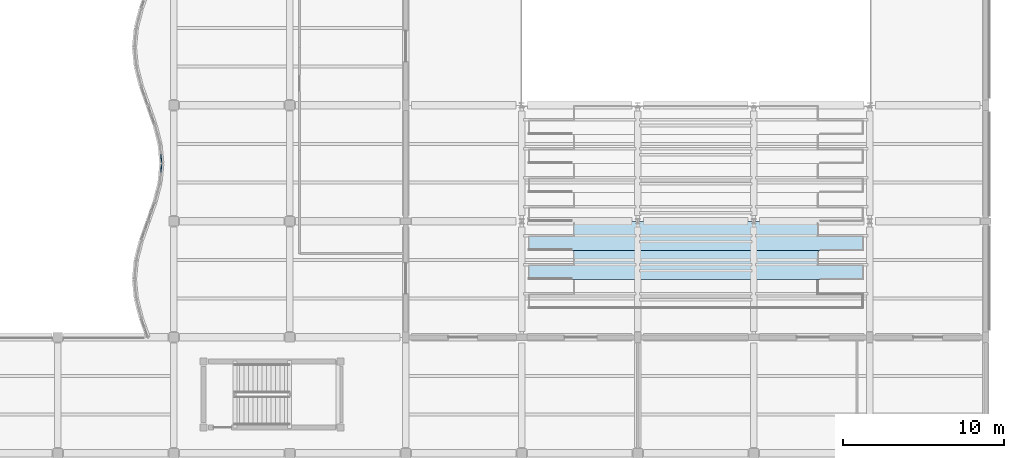
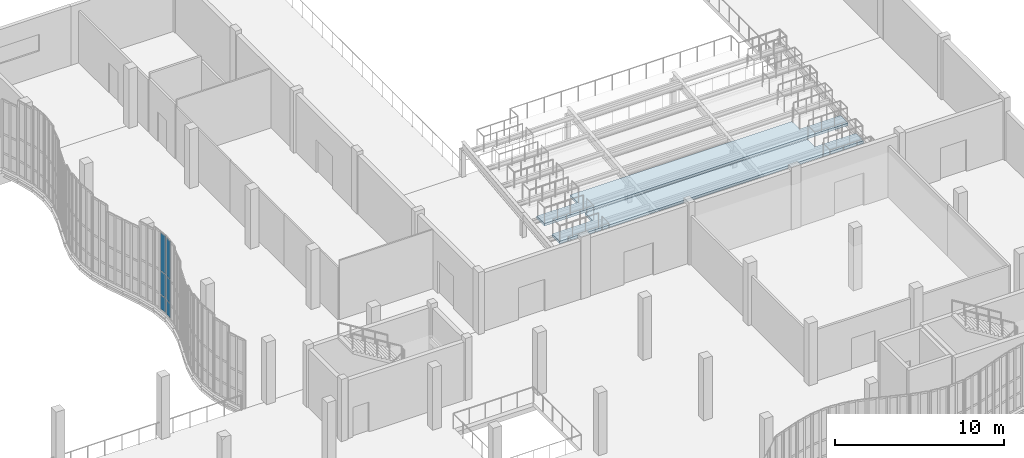
# One storey, part 81 of 105: 6 plates, 2 slabs, 2 elements without a shape of their own.
"""IFC4 building model written with IfcOpenShell, lengths in metres."""

from ifc_helpers import new_model, si_unit, direction, frame, origin, origin_2d, place, context, subcontext, project, spatial, polyline, rectangle, outline, extrude, material, layer, layer_set, type_object, element, aggregate, save


model = new_model("IFC4")

# Units and contexts
model_context = context("Model", 3, precision=1e-05, world=origin(), true_north=direction((0.0, 1.0)))
body_context = subcontext(model_context, "Body", "Model", "MODEL_VIEW")
ifc_project = project(units=[si_unit("LENGTHUNIT", "METRE"), si_unit("AREAUNIT", "SQUARE_METRE"), si_unit("VOLUMEUNIT", "CUBIC_METRE"), si_unit("PLANEANGLEUNIT", "RADIAN"), si_unit("MASSUNIT", "GRAM", prefix="KILO"), si_unit("THERMODYNAMICTEMPERATUREUNIT", "KELVIN"), si_unit("POWERUNIT", "WATT")], contexts=[model_context])

# Site, building, storey
site_placement = place(None, origin())
site = spatial("IfcSite", under=ifc_project, at=site_placement, CompositionType="ELEMENT")
building_placement = place(site_placement, origin())
building = spatial("IfcBuilding", under=site, at=building_placement, Name="Kaldorven Railside Theatre", CompositionType="ELEMENT")
storey_placement = place(building_placement, frame((0.0, 0.0, 9.89990234375)))
storey = spatial("IfcBuildingStorey", under=building, at=storey_placement, Name="L02", CompositionType="ELEMENT", Elevation=9.89990234375)

# Curtain wall, plates
ifc_material_1 = material(Name="Low-E laminated solar-control glass", Category="glass")
ifc_layer_1 = layer(ifc_material_1, 0.159912109375, Name="Low-E laminated solar-control glass")
ifc_layer_set_1 = layer_set([ifc_layer_1], Name="Low-E laminated solar-control glass")
curtain_wall_type = type_object("IfcCurtainWallType", Name="CWT-24", PredefinedType="USERDEFINED", material=ifc_layer_set_1)
curtain_wall_1_placement = place(storey_placement, origin())
curtain_wall_1 = element("IfcCurtainWall", 1, at=curtain_wall_1_placement, inside=storey, type_object=curtain_wall_type, Name="Sinusoidal Fluted Curtain Wall CW-L02-W09", ObjectType="FLUTED GLAZING", PredefinedType="USERDEFINED")
ifc_layer_2 = layer(ifc_material_1, 0.035888671875, Name="Low-E laminated solar-control glass")
ifc_layer_set_2 = layer_set([ifc_layer_2], Name="Low-E laminated solar-control glass")
plate_type = type_object("IfcPlateType", Name="CWP-CREST36", PredefinedType="CURTAIN_PANEL", material=ifc_layer_set_2)
plate_1_placement = place(storey_placement, frame((72.01953125, 51.280029296875, 0.06005859375), z_axis=(0.0, 0.0, 1.0), x_axis=(0.094491973758, 0.995525623425, 0.0)))
plate_1 = element("IfcPlate", 2, at=plate_1_placement, type_object=plate_type, Name="CW-L02-W09 panel 2.1", PredefinedType="CURTAIN_PANEL", context=body_context, shape_type="SweptSolid", body=[
    extrude(rectangle(XDim=0.482666015625, YDim=0.035888671875, at=origin_2d()), origin(), (0.0, 0.0, 1.0), 1.010009765625),
])
plate_2_placement = place(storey_placement, frame((72.01953125, 51.280029296875, 1.13037109375), z_axis=(0.0, 0.0, 1.0), x_axis=(0.094491973758, 0.995525623425, 0.0)))
plate_2 = element("IfcPlate", 3, at=plate_2_placement, type_object=plate_type, Name="CW-L02-W09 panel 2.2", PredefinedType="CURTAIN_PANEL", context=body_context, shape_type="SweptSolid", body=[
    extrude(rectangle(XDim=0.482666015625, YDim=0.035888671875, at=origin_2d()), origin(), (0.0, 0.0, 1.0), 1.659912109375),
])
plate_3_placement = place(storey_placement, frame((72.01953125, 51.280029296875, 2.85009765625), z_axis=(0.0, 0.0, 1.0), x_axis=(0.094491973758, 0.995525623425, 0.0)))
plate_3 = element("IfcPlate", 4, at=plate_3_placement, type_object=plate_type, Name="CW-L02-W09 panel 2.3", PredefinedType="CURTAIN_PANEL", context=body_context, shape_type="SweptSolid", body=[
    extrude(rectangle(XDim=0.482666015625, YDim=0.035888671875, at=origin_2d()), origin(), (0.0, 0.0, 1.0), 2.72998046875),
])
aggregate(curtain_wall_1, [plate_1, plate_2, plate_3])

curtain_wall_2_placement = place(storey_placement, origin())
curtain_wall_2 = element("IfcCurtainWall", 5, at=curtain_wall_2_placement, inside=storey, type_object=curtain_wall_type, Name="Sinusoidal Fluted Curtain Wall CW-L02-W10", ObjectType="FLUTED GLAZING", PredefinedType="USERDEFINED")
plate_4_placement = place(storey_placement, frame((72.01953125, 51.919921875, 0.06005859375), z_axis=(0.0, 0.0, 1.0), x_axis=(-0.094491973758, 0.995525623425, 0.0)))
plate_4 = element("IfcPlate", 6, at=plate_4_placement, type_object=plate_type, Name="CW-L02-W10 panel 1.1", PredefinedType="CURTAIN_PANEL", context=body_context, shape_type="SweptSolid", body=[
    extrude(rectangle(XDim=0.482666015625, YDim=0.035888671875, at=origin_2d()), origin(), (0.0, 0.0, 1.0), 1.010009765625),
])
plate_5_placement = place(storey_placement, frame((72.01953125, 51.919921875, 1.13037109375), z_axis=(0.0, 0.0, 1.0), x_axis=(-0.094491973758, 0.995525623425, 0.0)))
plate_5 = element("IfcPlate", 7, at=plate_5_placement, type_object=plate_type, Name="CW-L02-W10 panel 1.2", PredefinedType="CURTAIN_PANEL", context=body_context, shape_type="SweptSolid", body=[
    extrude(rectangle(XDim=0.482666015625, YDim=0.035888671875, at=origin_2d()), origin(), (0.0, 0.0, 1.0), 1.659912109375),
])
plate_6_placement = place(storey_placement, frame((72.01953125, 51.919921875, 2.85009765625), z_axis=(0.0, 0.0, 1.0), x_axis=(-0.094491973758, 0.995525623425, 0.0)))
plate_6 = element("IfcPlate", 8, at=plate_6_placement, type_object=plate_type, Name="CW-L02-W10 panel 1.3", PredefinedType="CURTAIN_PANEL", context=body_context, shape_type="SweptSolid", body=[
    extrude(rectangle(XDim=0.482666015625, YDim=0.035888671875, at=origin_2d()), origin(), (0.0, 0.0, 1.0), 2.72998046875),
])
aggregate(curtain_wall_2, [plate_4, plate_5, plate_6])

# Slabs
ifc_material_2 = material(Name="Concrete C35/45", Category="concrete")
ifc_layer_3 = layer(ifc_material_2, 0.179931640625, Name="Concrete C35/45")
ifc_layer_set_3 = layer_set([ifc_layer_3], Name="Concrete C35/45")
slab_type = type_object("IfcSlabType", Name="SLB-TIER-180", PredefinedType="USERDEFINED", material=ifc_layer_set_3)
slab_1_placement = place(storey_placement, frame((0.0, 0.0, 1.47021484375)))
element("IfcSlab", 9, at=slab_1_placement, inside=storey, type_object=slab_type, Name="V1U Seating Tier 03", ObjectType="SEATING TIER", PredefinedType="USERDEFINED", context=body_context, shape_type="SweptSolid", body=[
    extrude(outline(polyline([(94.800048828125, 44.39990234375), (115.60009765625, 44.39990234375), (115.60009765625, 45.300048828125), (112.800048828125, 45.300048828125), (112.800048828125, 46.199951171875), (97.60009765625, 46.199951171875), (97.60009765625, 45.300048828125), (94.800048828125, 45.300048828125), (94.800048828125, 44.39990234375)])), origin(), (0.0, 0.0, 1.0), 0.179931640625),
])
slab_2_placement = place(storey_placement, frame((0.0, 0.0, 1.670166015625)))
element("IfcSlab", 10, at=slab_2_placement, inside=storey, type_object=slab_type, Name="V1U Seating Tier 04", ObjectType="SEATING TIER", PredefinedType="USERDEFINED", context=body_context, shape_type="SweptSolid", body=[
    extrude(outline(polyline([(94.800048828125, 46.199951171875), (115.60009765625, 46.199951171875), (115.60009765625, 47.10009765625), (112.800048828125, 47.10009765625), (112.800048828125, 48.0), (97.60009765625, 48.0), (97.60009765625, 47.10009765625), (94.800048828125, 47.10009765625), (94.800048828125, 46.199951171875)])), origin(), (0.0, 0.0, 1.0), 0.179931640625),
])

save(model, "model.ifc")
